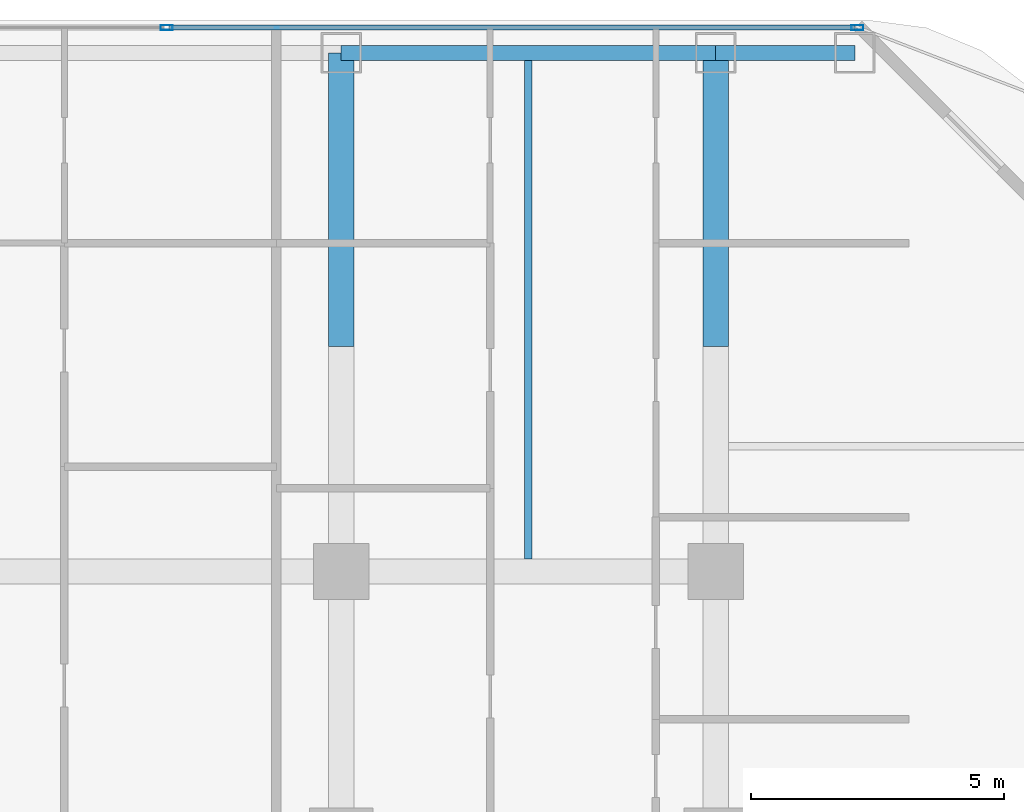
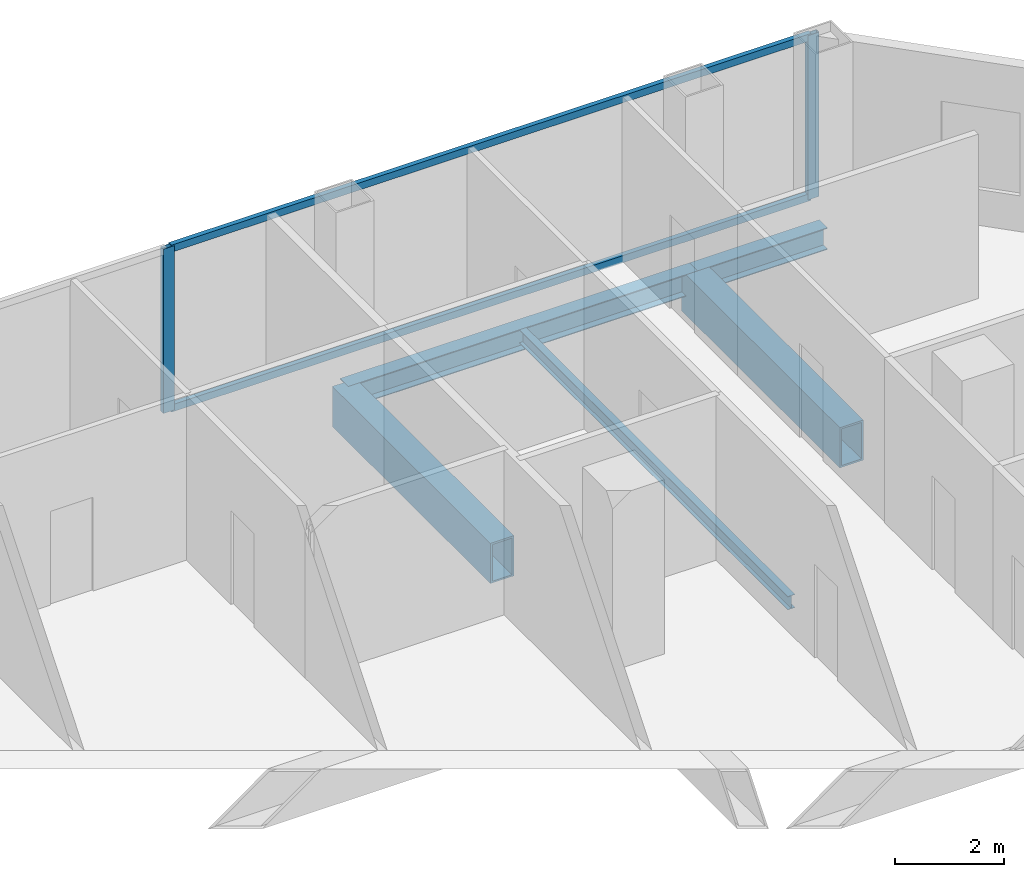
# One storey, part 15 of 29: 5 beams, 4 members, 1 element without a shape of its own.
"""IFC4 building model written with IfcOpenShell, lengths in metres."""

from ifc_helpers import new_model, si_unit, direction, frame, origin, origin_2d, place, context, subcontext, project, spatial, hollow_rectangle, i_section, extrude, material, layer, layer_set, material_profile, profile_set, type_object, element, aggregate, save


model = new_model("IFC4")

# Units and contexts
model_context = context("Model", 3, precision=1e-05, world=origin(), true_north=direction((0.0, 1.0)))
body_context = subcontext(model_context, "Body", "Model", "MODEL_VIEW")
ifc_project = project(units=[si_unit("LENGTHUNIT", "METRE"), si_unit("AREAUNIT", "SQUARE_METRE"), si_unit("VOLUMEUNIT", "CUBIC_METRE"), si_unit("PLANEANGLEUNIT", "RADIAN"), si_unit("MASSUNIT", "GRAM", prefix="KILO")], contexts=[model_context])

# Site, building, storey
site_placement = place(None, origin())
site = spatial("IfcSite", under=ifc_project, at=site_placement, CompositionType="ELEMENT")
building_placement = place(site_placement, origin())
building = spatial("IfcBuilding", under=site, at=building_placement, Name="Khorvyn Point Tower", CompositionType="ELEMENT")
storey_placement = place(building_placement, frame((0.0, 0.0, 85.199951171875)))
storey = spatial("IfcBuildingStorey", under=building, at=storey_placement, Name="L21", CompositionType="ELEMENT", Elevation=85.199951171875)

# Curtain wall, members
ifc_material_1 = material(Name="Anodised aluminium 6063-T6 and laminated Low-E glass", Category="aluminium")
ifc_layer = layer(ifc_material_1, 0.18994140625)
ifc_layer_set = layer_set([ifc_layer], Name="Stick-Built Finned Residential Curtain Wall CW-SYS-02")
curtain_wall_type = type_object("IfcCurtainWallType", Name="Stick-Built Finned Residential Curtain Wall CW-SYS-02", PredefinedType="NOTDEFINED", material=ifc_layer_set)
curtain_wall_placement = place(storey_placement, origin())
curtain_wall = element("IfcCurtainWall", 1, at=curtain_wall_placement, inside=storey, type_object=curtain_wall_type, Name="Curtain Wall", PredefinedType="NOTDEFINED")
ifc_material_2 = material(Name="Anodised aluminium 6063-T6", Category="aluminium")
ifc_material_profile_1 = material_profile(ifc_material_2, hollow_rectangle(XDim=0.10009765625, YDim=0.239990234375, WallThickness=0.0048828125, at=origin_2d()))
ifc_profile_set_1 = profile_set([ifc_material_profile_1], Name="Anodised aluminium 6063-T6 ALU-MUL-100x240")
member_type_1 = type_object("IfcMemberType", Name="Anodised Aluminium 6063-T6 Mullion ALU-MUL-100x240", PredefinedType="MULLION", material=ifc_profile_set_1)
member_1_placement = place(storey_placement, frame((3.949951171875, 30.85009765625, 0.0), z_axis=(0.0, 0.0, 1.0), x_axis=(0.0, 1.0, 0.0)))
member_1 = element("IfcMember", 2, at=member_1_placement, type_object=member_type_1, Name="Transom", PredefinedType="MULLION", context=body_context, shape_type="SweptSolid", body=[
    extrude(hollow_rectangle(XDim=0.10009765625, YDim=0.239990234375, WallThickness=0.0048828125, at=origin_2d()), origin(), (0.0, 0.0, 1.0), 3.679931640625),
])
member_2_placement = place(storey_placement, frame((17.60009765625, 30.85009765625, 0.0), z_axis=(0.0, 0.0, 1.0), x_axis=(0.0, 1.0, 0.0)))
member_2 = element("IfcMember", 3, at=member_2_placement, type_object=member_type_1, Name="Transom", PredefinedType="MULLION", context=body_context, shape_type="SweptSolid", body=[
    extrude(hollow_rectangle(XDim=0.10009765625, YDim=0.239990234375, WallThickness=0.0048828125, at=origin_2d()), origin(), (0.0, 0.0, 1.0), 3.679931640625),
])
ifc_material_profile_2 = material_profile(ifc_material_2, hollow_rectangle(XDim=0.10009765625, YDim=0.159912109375, WallThickness=0.00439453125, at=origin_2d()))
ifc_profile_set_2 = profile_set([ifc_material_profile_2], Name="Anodised aluminium 6063-T6 ALU-TRN-100x160")
member_type_2 = type_object("IfcMemberType", Name="Anodised Aluminium 6063-T6 Transom ALU-TRN-100x160", PredefinedType="USERDEFINED", material=ifc_profile_set_2)
member_3_placement = place(storey_placement, frame((4.0, 30.85009765625, 0.050048828125), z_axis=(1.0, 0.0, 0.0), x_axis=(0.0, 1.0, 0.0)))
member_3 = element("IfcMember", 4, at=member_3_placement, type_object=member_type_2, Name="Transom", ObjectType="TRANSOM", PredefinedType="USERDEFINED", context=body_context, shape_type="SweptSolid", body=[
    extrude(hollow_rectangle(XDim=0.10009765625, YDim=0.159912109375, WallThickness=0.00439453125, at=origin_2d()), origin(), (0.0, 0.0, 1.0), 13.550048828125),
])
member_4_placement = place(storey_placement, frame((4.0, 30.85009765625, 3.630126953125), z_axis=(1.0, 0.0, 0.0), x_axis=(0.0, 1.0, 0.0)))
member_4 = element("IfcMember", 5, at=member_4_placement, type_object=member_type_2, Name="Transom", ObjectType="TRANSOM", PredefinedType="USERDEFINED", context=body_context, shape_type="SweptSolid", body=[
    extrude(hollow_rectangle(XDim=0.10009765625, YDim=0.159912109375, WallThickness=0.00439453125, at=origin_2d()), origin(), (0.0, 0.0, 1.0), 13.550048828125),
])
aggregate(curtain_wall, [member_1, member_2, member_3, member_4])

# Beams
ifc_material_3 = material(Name="Steel S355", Category="steel")
ifc_material_profile_3 = material_profile(ifc_material_3, i_section(OverallWidth=0.14990234375, OverallDepth=0.300048828125, WebThickness=0.006591796875, FlangeThickness=0.009033203125, at=origin_2d()))
ifc_profile_set_3 = profile_set([ifc_material_profile_3], Name="Steel S355 H300x150x6.5x9")
beam_type_1 = type_object("IfcBeamType", Name="Steel S355 Joist H300x150x6.5x9", PredefinedType="JOIST", material=ifc_profile_set_3)
beam_1_placement = place(storey_placement, frame((11.10009765625, 20.35009765625, -0.429931640625), z_axis=(0.0, 1.0, 0.0), x_axis=(-1.0, 0.0, 0.0)))
element("IfcBeam", 6, at=beam_1_placement, inside=storey, type_object=beam_type_1, Name="Beam", PredefinedType="JOIST", context=body_context, shape_type="SweptSolid", body=[
    extrude(i_section(OverallWidth=0.14990234375, OverallDepth=0.300048828125, WebThickness=0.006591796875, FlangeThickness=0.009033203125, at=origin_2d()), origin(), (0.0, 0.0, 1.0), 9.849853515625),
])
ifc_material_profile_4 = material_profile(ifc_material_3, i_section(OverallWidth=0.300048828125, OverallDepth=0.488037109375, WebThickness=0.010986328125, FlangeThickness=0.01806640625, at=origin_2d()))
ifc_profile_set_4 = profile_set([ifc_material_profile_4], Name="Steel S355 H488x300x11x18")
beam_type_2 = type_object("IfcBeamType", Name="Steel S355 Spandrel H488x300x11x18", PredefinedType="SPANDREL", material=ifc_profile_set_4)
beam_2_placement = place(storey_placement, frame((7.39990234375, 30.35009765625, -0.52392578125), z_axis=(1.0, 0.0, 0.0), x_axis=(0.0, 1.0, 0.0)))
element("IfcBeam", 7, at=beam_2_placement, inside=storey, type_object=beam_type_2, Name="Beam", PredefinedType="SPANDREL", context=body_context, shape_type="SweptSolid", body=[
    extrude(i_section(OverallWidth=0.300048828125, OverallDepth=0.488037109375, WebThickness=0.010986328125, FlangeThickness=0.01806640625, at=origin_2d()), origin(), (0.0, 0.0, 1.0), 7.400146484375),
])
beam_3_placement = place(storey_placement, frame((14.800048828125, 30.35009765625, -0.52392578125), z_axis=(1.0, 0.0, 0.0), x_axis=(0.0, 1.0, 0.0)))
element("IfcBeam", 8, at=beam_3_placement, inside=storey, type_object=beam_type_2, Name="Beam", PredefinedType="SPANDREL", context=body_context, shape_type="SweptSolid", body=[
    extrude(i_section(OverallWidth=0.300048828125, OverallDepth=0.488037109375, WebThickness=0.010986328125, FlangeThickness=0.01806640625, at=origin_2d()), origin(), (0.0, 0.0, 1.0), 2.75),
])
ifc_material_4 = material(Name="Steel S450", Category="steel")
ifc_material_profile_5 = material_profile(ifc_material_4, hollow_rectangle(XDim=0.5, YDim=0.89990234375, WallThickness=0.0400390625, at=origin_2d()))
ifc_profile_set_5 = profile_set([ifc_material_profile_5], Name="Steel S450 BOX900x500x40")
beam_type_3 = type_object("IfcBeamType", Name="Steel S450 Beam BOX900x500x40", PredefinedType="BEAM", material=ifc_profile_set_5)
for number, where, z_axis, x_axis, name in (
    (9, (14.800048828125, 24.550048828125, -0.72998046875), (0.0, 1.0, 0.0), (-1.0, 0.0, 0.0), "L21 Radial Transfer Girder"),
    (10, (7.39990234375, 24.550048828125, -0.72998046875), (0.0, 1.0, 0.0), (-1.0, 0.0, 0.0), "Beam"),
):
    element("IfcBeam", number, at=place(storey_placement, frame(where, z_axis=z_axis, x_axis=x_axis)), inside=storey, type_object=beam_type_3, Name=name, PredefinedType="BEAM", context=body_context, shape_type="SweptSolid", body=[
        extrude(hollow_rectangle(XDim=0.5, YDim=0.89990234375, WallThickness=0.0400390625, at=origin_2d()), origin(), (0.0, 0.0, 1.0), 5.800048828125),
    ])

save(model, "model.ifc")
